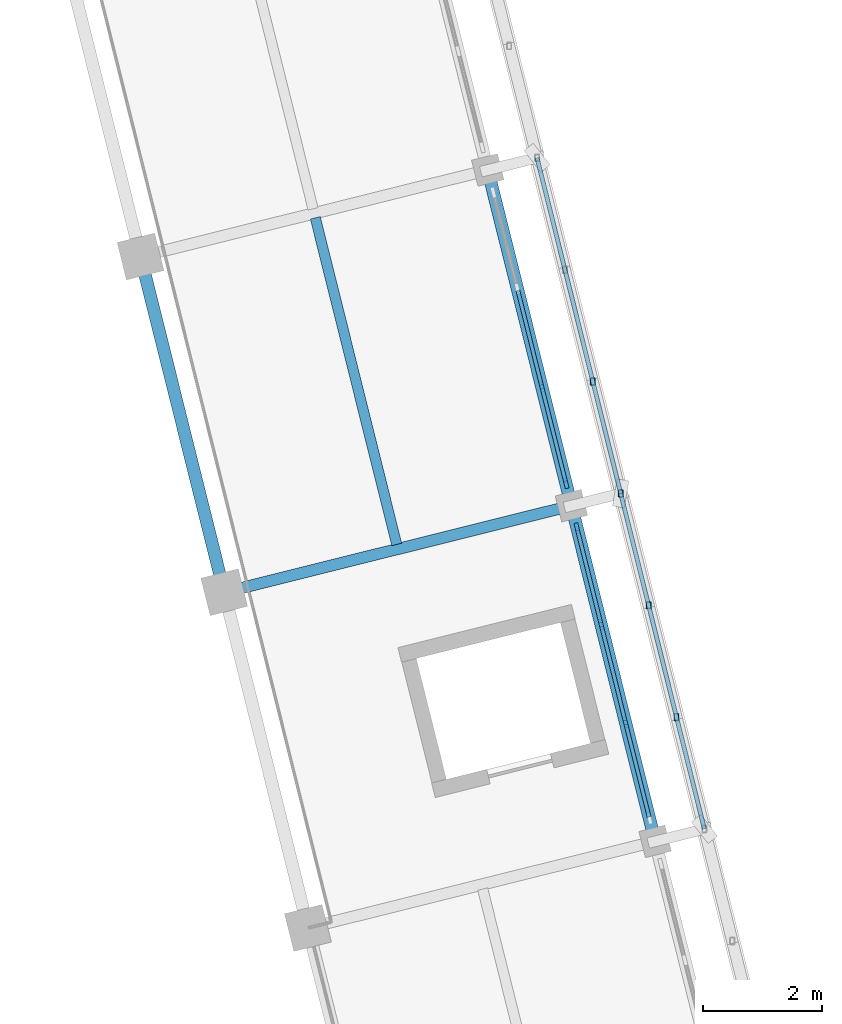
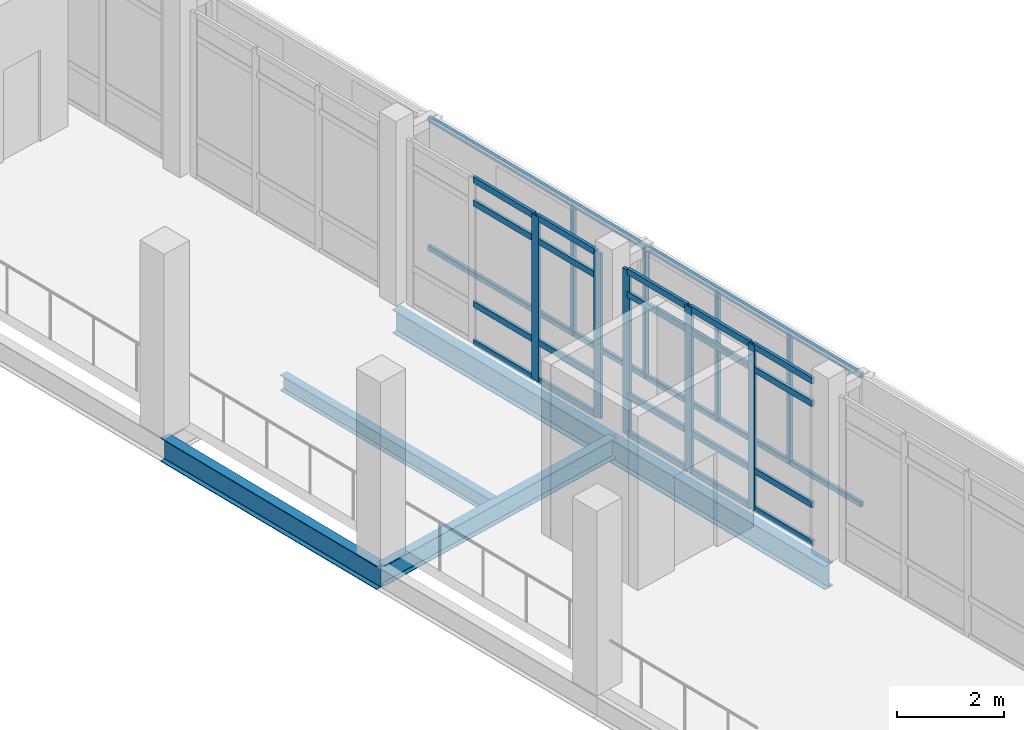
# One storey, part 20 of 137: 33 members, 5 beams, 2 elements without a shape of their own.
"""IFC4 building model written with IfcOpenShell, lengths in metres."""

import ifcopenshell
import ifcopenshell.guid

model = None  # the IFC model being written
_history = None  # IfcOwnerHistory: only IFC2X3 demands one
_inside = {}  # id of a spatial element -> (the spatial element, [elements in it])
_under = {}  # id of a project, library or spatial element -> (it, [spatial elements below it])
_declared = {}  # id of a project -> (the project, [libraries it declares])
_typed = {}  # id of a type object -> (the type object, [elements of that type])
_made_of = {}  # id of a material, layer set ... -> (it, [elements and type objects made of it])


def new_model(schema):
    """Start an empty IFC model of exactly this schema.

    Asked for "IFC4X3", IfcOpenShell would pick the latest addendum, in which some entities
    have other attributes; the version numbers below select the first issue.
    IFC2X3 requires an IfcOwnerHistory on every rooted entity: one is made here for all.
    """
    global model, _history
    if schema == "IFC4X3":
        model = ifcopenshell.file(schema_version=(4, 3, 0, 0))
    else:
        model = ifcopenshell.file(schema=schema)
    _inside.clear()
    _under.clear()
    _declared.clear()
    _typed.clear()
    _made_of.clear()
    _history = None
    if model.schema == "IFC2X3":
        org = make("IfcOrganization", Name="unknown")
        user = make(
            "IfcPersonAndOrganization",
            ThePerson=make("IfcPerson", FamilyName="unknown"),
            TheOrganization=org,
        )
        app = make(
            "IfcApplication",
            ApplicationDeveloper=org,
            Version="unknown",
            ApplicationFullName="unknown",
            ApplicationIdentifier="unknown",
        )
        _history = make(
            "IfcOwnerHistory",
            OwningUser=user,
            OwningApplication=app,
            ChangeAction="ADDED",
            CreationDate=0,
        )
    return model


def make(cls, **values):
    """One entity of the class cls with the attributes given. An attribute that is None is left unset."""
    return model.create_entity(
        cls, **{name: value for name, value in values.items() if value is not None}
    )


def rooted(cls, **values):
    """An entity with a GlobalId (a new one), such as an element, a storey or a relation."""
    return make(cls, GlobalId=ifcopenshell.guid.new(), OwnerHistory=_history, **values)


def si_unit(unit_type, name, prefix=None):
    """IfcSIUnit, for example si_unit("LENGTHUNIT", "METRE", prefix="MILLI")."""
    return make("IfcSIUnit", UnitType=unit_type, Prefix=prefix, Name=name)


def assignment(units):
    """IfcUnitAssignment: the units of a project."""
    return None if units is None else make("IfcUnitAssignment", Units=units)


def point(xyz):
    """IfcCartesianPoint."""
    return None if xyz is None else make("IfcCartesianPoint", Coordinates=xyz)


def direction(xyz):
    """IfcDirection."""
    return None if xyz is None else make("IfcDirection", DirectionRatios=xyz)


def frame(location, z_axis=None, x_axis=None):
    """IfcAxis2Placement3D, a coordinate frame: its origin and axes. An axis left out is left unset."""
    return make(
        "IfcAxis2Placement3D",
        Location=point(location),
        Axis=direction(z_axis),
        RefDirection=direction(x_axis),
    )


def frame_2d(location, x_axis=None):
    """IfcAxis2Placement2D, a coordinate frame in the plane: its origin and x axis."""
    return make(
        "IfcAxis2Placement2D", Location=point(location), RefDirection=direction(x_axis)
    )


def origin():
    """The frame at (0, 0, 0) with its axes left unset."""
    return frame((0.0, 0.0, 0.0))


def origin_2d():
    """The frame at (0, 0) in the plane with its x axis left unset."""
    return frame_2d((0.0, 0.0))


def place(relative_to, where):
    """IfcLocalPlacement: puts the frame where relative to a parent placement (None: the world)."""
    return make(
        "IfcLocalPlacement", PlacementRelTo=relative_to, RelativePlacement=where
    )


def context(
    kind, dimensions, precision=None, world=None, true_north=None, identifier=None
):
    """IfcGeometricRepresentationContext, for example the 3D "Model" context."""
    return make(
        "IfcGeometricRepresentationContext",
        ContextIdentifier=identifier,
        ContextType=kind,
        CoordinateSpaceDimension=dimensions,
        Precision=precision,
        WorldCoordinateSystem=world,
        TrueNorth=true_north,
    )


def subcontext(parent, identifier, kind, view, scale=None):
    """IfcGeometricRepresentationSubContext, for example "Body" below "Model"."""
    return make(
        "IfcGeometricRepresentationSubContext",
        ContextIdentifier=identifier,
        ContextType=kind,
        ParentContext=parent,
        TargetScale=scale,
        TargetView=view,
    )


def project(units=None, contexts=None):
    """IfcProject with its units and contexts."""
    return rooted(
        "IfcProject",
        Name="project",
        RepresentationContexts=contexts,
        UnitsInContext=assignment(units),
    )


def spatial(cls, under=None, at=None, **own):
    """A site, building, storey or space (cls), placed at a placement, below another one or the project."""
    s = rooted(cls, ObjectPlacement=at, **own)
    if under is not None:
        _under.setdefault(under.id(), (under, []))[1].append(s)
    return s


def profile(cls, at=None, kind="AREA", **sizes):
    """A parametric profile (cls). Its sizes go by their IFC names, for example OverallWidth=200.0."""
    return make(cls, ProfileType=kind, Position=at, **sizes)


def rectangle(**sizes):
    """IfcRectangleProfileDef."""
    return profile("IfcRectangleProfileDef", **sizes)


def hollow_rectangle(**sizes):
    """IfcRectangleHollowProfileDef."""
    return profile("IfcRectangleHollowProfileDef", **sizes)


def i_section(**sizes):
    """IfcIShapeProfileDef."""
    return profile("IfcIShapeProfileDef", **sizes)


def extrude(swept, where, along, depth):
    """IfcExtrudedAreaSolid: the profile swept, set in the frame where, extruded along a direction by depth."""
    return make(
        "IfcExtrudedAreaSolid",
        SweptArea=swept,
        Position=where,
        ExtrudedDirection=direction(along),
        Depth=depth,
    )


def shape(context_of_items, identifier, shape_type, items):
    """IfcShapeRepresentation: the items that make up one representation, for example the "Body"."""
    return make(
        "IfcShapeRepresentation",
        ContextOfItems=context_of_items,
        RepresentationIdentifier=identifier,
        RepresentationType=shape_type,
        Items=items,
    )


def material(Name=None, Category=None):
    """IfcMaterial."""
    return make("IfcMaterial", Name=Name, Category=Category)


def material_profile(
    of_material, cross_section, Name=None, Category=None, Priority=None
):
    """IfcMaterialProfile: a cross section and its material."""
    return make(
        "IfcMaterialProfile",
        Name=Name,
        Material=of_material,
        Profile=cross_section,
        Priority=Priority,
        Category=Category,
    )


def profile_set(profiles, Name=None, composite=None):
    """IfcMaterialProfileSet."""
    return make(
        "IfcMaterialProfileSet",
        Name=Name,
        MaterialProfiles=profiles,
        CompositeProfile=composite,
    )


def made_of(thing, what):
    """Note that an element or type object is made of a material, layer set ...; save() writes the relation."""
    if what is not None:
        _made_of.setdefault(what.id(), (what, []))[1].append(thing)
    return thing


def type_object(cls, material=None, **own):
    """A type object (cls), such as IfcWallType, which elements share."""
    return made_of(rooted(cls, **own), material)


def element(
    cls,
    number,
    at=None,
    inside=None,
    cuts=None,
    type_object=None,
    material=None,
    context=None,
    identifier="Body",
    shape_type=None,
    held_by="IfcProductDefinitionShape",
    body=None,
    shapes=None,
    **own,
):
    """One element of the class cls, such as IfcWall. Its Tag is "e" and its number.

    at: its placement. inside: the storey or other place that contains it. cuts: it is an
    opening in that element (IfcRelVoidsElement). A single representation is given by context,
    identifier, shape_type and body (its items); several are given by shapes. held_by: the class
    of the entity that holds the representations. save() writes the other relations.
    """
    e = rooted(cls, Tag="e%d" % number, ObjectPlacement=at, **own)
    if body is not None:
        shapes = [shape(context, identifier, shape_type, body)]
    if shapes is not None:
        e.Representation = make(held_by, Representations=shapes)
    if inside is not None:
        _inside.setdefault(inside.id(), (inside, []))[1].append(e)
    if cuts is not None:
        rooted(
            "IfcRelVoidsElement", RelatingBuildingElement=cuts, RelatedOpeningElement=e
        )
    if type_object is not None:
        _typed.setdefault(type_object.id(), (type_object, []))[1].append(e)
    return made_of(e, material)


def aggregate(whole, parts):
    """IfcRelAggregates: a whole, such as a stair, and the parts it consists of."""
    return rooted("IfcRelAggregates", RelatingObject=whole, RelatedObjects=parts)


def save(model, path):
    """Write the relations noted so far, then the file.

    IfcRelAggregates (storeys below a building ...), IfcRelContainedInSpatialStructure (elements
    in a storey), IfcRelDefinesByType, IfcRelAssociatesMaterial and IfcRelDeclares: one each for
    every whole, place, type object, material and project.
    """
    for whole, parts in _under.values():
        aggregate(whole, parts)
    for where, things in _inside.values():
        rooted(
            "IfcRelContainedInSpatialStructure",
            RelatedElements=things,
            RelatingStructure=where,
        )
    for kind, things in _typed.values():
        rooted("IfcRelDefinesByType", RelatedObjects=things, RelatingType=kind)
    for what, things in _made_of.values():
        rooted("IfcRelAssociatesMaterial", RelatedObjects=things, RelatingMaterial=what)
    for by, libraries in _declared.values():
        rooted("IfcRelDeclares", RelatingContext=by, RelatedDefinitions=libraries)
    model.write(path)


model = new_model("IFC4")

# Units and contexts
model_context = context("Model", 3, precision=1e-05, world=origin(), true_north=direction((0.0, 1.0)))
body_context = subcontext(model_context, "Body", "Model", "MODEL_VIEW")
ifc_project = project(units=[si_unit("LENGTHUNIT", "METRE"), si_unit("AREAUNIT", "SQUARE_METRE"), si_unit("VOLUMEUNIT", "CUBIC_METRE"), si_unit("PLANEANGLEUNIT", "RADIAN"), si_unit("MASSUNIT", "GRAM", prefix="KILO")], contexts=[model_context])

# Site, building, storey
site_placement = place(None, origin())
site = spatial("IfcSite", under=ifc_project, at=site_placement, CompositionType="ELEMENT")
building_placement = place(site_placement, origin())
building = spatial("IfcBuilding", under=site, at=building_placement, Name="Cinderway Yard Community Centre", CompositionType="ELEMENT")
storey_placement = place(building_placement, frame((0.0, 0.0, 4.800048828125)))
storey = spatial("IfcBuildingStorey", under=building, at=storey_placement, Name="L01", CompositionType="ELEMENT", Elevation=4.800048828125)

# Curtain wall, members
ifc_material_1 = material(Name="Aluminium 6063-T6", Category="aluminium")
curtain_wall_type = type_object("IfcCurtainWallType", Name="ENV-CW-TYPE-04", PredefinedType="USERDEFINED", material=ifc_material_1)
curtain_wall_1_placement = place(storey_placement, origin())
curtain_wall_1 = element("IfcCurtainWall", 1, at=curtain_wall_1_placement, inside=storey, type_object=curtain_wall_type, Name="Main Hall Courtyard Curtain Wall ENV-CW-L01-HS-0012", ObjectType="GLAZED CURTAIN WALL", PredefinedType="USERDEFINED")
ifc_material_profile_1 = material_profile(ifc_material_1, rectangle(XDim=0.06494140625, YDim=0.179931640625, at=origin_2d()), Name="Aluminium 6063-T6")
ifc_profile_set_1 = profile_set([ifc_material_profile_1], Name="Aluminium 6063-T6")
member_type_1 = type_object("IfcMemberType", Name="ENV-CW-MULL-180", PredefinedType="MULLION", material=ifc_profile_set_1)
member_1_placement = place(storey_placement, frame((49.496337890625, 46.590087890625, 0.0), z_axis=(0.0, 0.0, 1.0), x_axis=(-0.970292848611, -0.241933436991, 0.0)))
member_1 = element("IfcMember", 2, at=member_1_placement, type_object=member_type_1, Name="CW-04 mullion 2", PredefinedType="MULLION", context=body_context, shape_type="SweptSolid", body=[
    extrude(rectangle(XDim=0.06494140625, YDim=0.179931640625, at=origin_2d()), origin(), (0.0, 0.0, 1.0), 3.75),
])
member_2_placement = place(storey_placement, frame((49.086669921875, 48.23291015625, 0.0), z_axis=(0.0, 0.0, 1.0), x_axis=(-0.970292848611, -0.241933436991, 0.0)))
member_2 = element("IfcMember", 3, at=member_2_placement, type_object=member_type_1, Name="CW-04 mullion 3", PredefinedType="MULLION", context=body_context, shape_type="SweptSolid", body=[
    extrude(rectangle(XDim=0.06494140625, YDim=0.179931640625, at=origin_2d()), origin(), (0.0, 0.0, 1.0), 3.75),
])
member_3_placement = place(storey_placement, frame((48.684326171875, 49.846923828125, 0.0), z_axis=(0.0, 0.0, 1.0), x_axis=(-0.970292848611, -0.241933436991, 0.0)))
member_3 = element("IfcMember", 4, at=member_3_placement, type_object=member_type_1, Name="CW-04 mullion 4", PredefinedType="MULLION", context=body_context, shape_type="SweptSolid", body=[
    extrude(rectangle(XDim=0.06494140625, YDim=0.179931640625, at=origin_2d()), origin(), (0.0, 0.0, 1.0), 3.75),
])

curtain_wall_2_placement = place(storey_placement, origin())
curtain_wall_2 = element("IfcCurtainWall", 5, at=curtain_wall_2_placement, inside=storey, type_object=curtain_wall_type, Name="Main Hall Courtyard Curtain Wall ENV-CW-L01-HS-0013", ObjectType="GLAZED CURTAIN WALL", PredefinedType="USERDEFINED")
member_4_placement = place(storey_placement, frame((48.495849609375, 50.60302734375, 0.0), z_axis=(0.0, 0.0, 1.0), x_axis=(-0.97030436752, -0.241887234827, 0.0)))
member_4 = element("IfcMember", 6, at=member_4_placement, type_object=member_type_1, Name="CW-04 mullion 1", PredefinedType="MULLION", context=body_context, shape_type="SweptSolid", body=[
    extrude(rectangle(XDim=0.06494140625, YDim=0.179931640625, at=origin_2d()), origin(), (0.0, 0.0, 1.0), 3.75),
])
member_5_placement = place(storey_placement, frame((48.09326171875, 52.21728515625, 0.0), z_axis=(0.0, 0.0, 1.0), x_axis=(-0.97030436752, -0.241887234827, 0.0)))
member_5 = element("IfcMember", 7, at=member_5_placement, type_object=member_type_1, Name="CW-04 mullion 2", PredefinedType="MULLION", context=body_context, shape_type="SweptSolid", body=[
    extrude(rectangle(XDim=0.06494140625, YDim=0.179931640625, at=origin_2d()), origin(), (0.0, 0.0, 1.0), 3.75),
])

# Member
ifc_material_profile_2 = material_profile(ifc_material_1, rectangle(XDim=0.06494140625, YDim=0.139892578125, at=origin_2d()), Name="Aluminium 6063-T6")
ifc_profile_set_2 = profile_set([ifc_material_profile_2], Name="Aluminium 6063-T6")
member_type_2 = type_object("IfcMemberType", Name="ENV-CW-TRAN-140", PredefinedType="USERDEFINED", material=ifc_profile_set_2)
member_6_placement = place(storey_placement, frame((49.8916015625, 45.005126953125, 0.030029296875), z_axis=(-0.241962318399, 0.970285646846, 0.0), x_axis=(-0.970285646846, -0.241962318399, 0.0)))
member_6 = element("IfcMember", 8, at=member_6_placement, type_object=member_type_2, Name="CW-04 transom 1.1", ObjectType="TRANSOM", PredefinedType="USERDEFINED", context=body_context, shape_type="SweptSolid", body=[
    extrude(rectangle(XDim=0.06494140625, YDim=0.139892578125, at=origin_2d()), origin(), (0.0, 0.0, 1.0), 1.603271484375),
])

member_7_placement = place(storey_placement, frame((49.8916015625, 45.005126953125, 0.89990234375), z_axis=(-0.241962318399, 0.970285646846, 0.0), x_axis=(-0.970285646846, -0.241962318399, 0.0)))
member_7 = element("IfcMember", 9, at=member_7_placement, type_object=member_type_2, Name="CW-04 transom 1.2", ObjectType="TRANSOM", PredefinedType="USERDEFINED", context=body_context, shape_type="SweptSolid", body=[
    extrude(rectangle(XDim=0.06494140625, YDim=0.139892578125, at=origin_2d()), origin(), (0.0, 0.0, 1.0), 1.603271484375),
])

member_8_placement = place(storey_placement, frame((49.8916015625, 45.005126953125, 3.199951171875), z_axis=(-0.241962318399, 0.970285646846, 0.0), x_axis=(-0.970285646846, -0.241962318399, 0.0)))
member_8 = element("IfcMember", 10, at=member_8_placement, type_object=member_type_2, Name="CW-04 transom 1.3", ObjectType="TRANSOM", PredefinedType="USERDEFINED", context=body_context, shape_type="SweptSolid", body=[
    extrude(rectangle(XDim=0.06494140625, YDim=0.139892578125, at=origin_2d()), origin(), (0.0, 0.0, 1.0), 1.603271484375),
])

member_9_placement = place(storey_placement, frame((49.8916015625, 45.005126953125, 3.719970703125), z_axis=(-0.241962318399, 0.970285646846, 0.0), x_axis=(-0.970285646846, -0.241962318399, 0.0)))
member_9 = element("IfcMember", 11, at=member_9_placement, type_object=member_type_2, Name="CW-04 transom 1.4", ObjectType="TRANSOM", PredefinedType="USERDEFINED", context=body_context, shape_type="SweptSolid", body=[
    extrude(rectangle(XDim=0.06494140625, YDim=0.139892578125, at=origin_2d()), origin(), (0.0, 0.0, 1.0), 1.603271484375),
])

member_10_placement = place(storey_placement, frame((49.489013671875, 46.619140625, 0.030029296875), z_axis=(-0.24186728009, 0.970309341819, 0.0), x_axis=(-0.970309341819, -0.24186728009, 0.0)))
member_10 = element("IfcMember", 12, at=member_10_placement, type_object=member_type_2, Name="CW-04 transom 2.1", ObjectType="TRANSOM", PredefinedType="USERDEFINED", context=body_context, shape_type="SweptSolid", body=[
    extrude(rectangle(XDim=0.06494140625, YDim=0.139892578125, at=origin_2d()), origin(), (0.0, 0.0, 1.0), 1.63330078125),
])

member_11_placement = place(storey_placement, frame((49.489013671875, 46.619140625, 0.89990234375), z_axis=(-0.24186728009, 0.970309341819, 0.0), x_axis=(-0.970309341819, -0.24186728009, 0.0)))
member_11 = element("IfcMember", 13, at=member_11_placement, type_object=member_type_2, Name="CW-04 transom 2.2", ObjectType="TRANSOM", PredefinedType="USERDEFINED", context=body_context, shape_type="SweptSolid", body=[
    extrude(rectangle(XDim=0.06494140625, YDim=0.139892578125, at=origin_2d()), origin(), (0.0, 0.0, 1.0), 1.63330078125),
])

member_12_placement = place(storey_placement, frame((49.489013671875, 46.619140625, 3.199951171875), z_axis=(-0.24186728009, 0.970309341819, 0.0), x_axis=(-0.970309341819, -0.24186728009, 0.0)))
member_12 = element("IfcMember", 14, at=member_12_placement, type_object=member_type_2, Name="CW-04 transom 2.3", ObjectType="TRANSOM", PredefinedType="USERDEFINED", context=body_context, shape_type="SweptSolid", body=[
    extrude(rectangle(XDim=0.06494140625, YDim=0.139892578125, at=origin_2d()), origin(), (0.0, 0.0, 1.0), 1.63330078125),
])

member_13_placement = place(storey_placement, frame((49.489013671875, 46.619140625, 3.719970703125), z_axis=(-0.24186728009, 0.970309341819, 0.0), x_axis=(-0.970309341819, -0.24186728009, 0.0)))
member_13 = element("IfcMember", 15, at=member_13_placement, type_object=member_type_2, Name="CW-04 transom 2.4", ObjectType="TRANSOM", PredefinedType="USERDEFINED", context=body_context, shape_type="SweptSolid", body=[
    extrude(rectangle(XDim=0.06494140625, YDim=0.139892578125, at=origin_2d()), origin(), (0.0, 0.0, 1.0), 1.63330078125),
])

member_14_placement = place(storey_placement, frame((49.079345703125, 48.26220703125, 0.030029296875), z_axis=(-0.241962318399, 0.970285646846, 0.0), x_axis=(-0.970285646846, -0.241962318399, 0.0)))
member_14 = element("IfcMember", 16, at=member_14_placement, type_object=member_type_2, Name="CW-04 transom 3.1", ObjectType="TRANSOM", PredefinedType="USERDEFINED", context=body_context, shape_type="SweptSolid", body=[
    extrude(rectangle(XDim=0.06494140625, YDim=0.139892578125, at=origin_2d()), origin(), (0.0, 0.0, 1.0), 1.603271484375),
])

member_15_placement = place(storey_placement, frame((49.079345703125, 48.26220703125, 0.89990234375), z_axis=(-0.241962318399, 0.970285646846, 0.0), x_axis=(-0.970285646846, -0.241962318399, 0.0)))
member_15 = element("IfcMember", 17, at=member_15_placement, type_object=member_type_2, Name="CW-04 transom 3.2", ObjectType="TRANSOM", PredefinedType="USERDEFINED", context=body_context, shape_type="SweptSolid", body=[
    extrude(rectangle(XDim=0.06494140625, YDim=0.139892578125, at=origin_2d()), origin(), (0.0, 0.0, 1.0), 1.603271484375),
])

member_16_placement = place(storey_placement, frame((49.079345703125, 48.26220703125, 3.199951171875), z_axis=(-0.241962318399, 0.970285646846, 0.0), x_axis=(-0.970285646846, -0.241962318399, 0.0)))
member_16 = element("IfcMember", 18, at=member_16_placement, type_object=member_type_2, Name="CW-04 transom 3.3", ObjectType="TRANSOM", PredefinedType="USERDEFINED", context=body_context, shape_type="SweptSolid", body=[
    extrude(rectangle(XDim=0.06494140625, YDim=0.139892578125, at=origin_2d()), origin(), (0.0, 0.0, 1.0), 1.603271484375),
])

member_17_placement = place(storey_placement, frame((49.079345703125, 48.26220703125, 3.719970703125), z_axis=(-0.241962318399, 0.970285646846, 0.0), x_axis=(-0.970285646846, -0.241962318399, 0.0)))
member_17 = element("IfcMember", 19, at=member_17_placement, type_object=member_type_2, Name="CW-04 transom 3.4", ObjectType="TRANSOM", PredefinedType="USERDEFINED", context=body_context, shape_type="SweptSolid", body=[
    extrude(rectangle(XDim=0.06494140625, YDim=0.139892578125, at=origin_2d()), origin(), (0.0, 0.0, 1.0), 1.603271484375),
])

aggregate(curtain_wall_1, [member_1, member_2, member_3, member_6, member_7, member_8, member_9, member_10, member_11, member_12, member_13, member_14, member_15, member_16, member_17])

member_18_placement = place(storey_placement, frame((48.488525390625, 50.63232421875, 0.030029296875), z_axis=(-0.241926573916, 0.970294559829, 0.0), x_axis=(-0.970294559829, -0.241926573916, 0.0)))
member_18 = element("IfcMember", 20, at=member_18_placement, type_object=member_type_2, Name="CW-04 transom 1.1", ObjectType="TRANSOM", PredefinedType="USERDEFINED", context=body_context, shape_type="SweptSolid", body=[
    extrude(rectangle(XDim=0.06494140625, YDim=0.139892578125, at=origin_2d()), origin(), (0.0, 0.0, 1.0), 1.603515625),
])

member_19_placement = place(storey_placement, frame((48.488525390625, 50.63232421875, 0.89990234375), z_axis=(-0.241926573916, 0.970294559829, 0.0), x_axis=(-0.970294559829, -0.241926573916, 0.0)))
member_19 = element("IfcMember", 21, at=member_19_placement, type_object=member_type_2, Name="CW-04 transom 1.2", ObjectType="TRANSOM", PredefinedType="USERDEFINED", context=body_context, shape_type="SweptSolid", body=[
    extrude(rectangle(XDim=0.06494140625, YDim=0.139892578125, at=origin_2d()), origin(), (0.0, 0.0, 1.0), 1.603515625),
])

member_20_placement = place(storey_placement, frame((48.488525390625, 50.63232421875, 3.199951171875), z_axis=(-0.241926573916, 0.970294559829, 0.0), x_axis=(-0.970294559829, -0.241926573916, 0.0)))
member_20 = element("IfcMember", 22, at=member_20_placement, type_object=member_type_2, Name="CW-04 transom 1.3", ObjectType="TRANSOM", PredefinedType="USERDEFINED", context=body_context, shape_type="SweptSolid", body=[
    extrude(rectangle(XDim=0.06494140625, YDim=0.139892578125, at=origin_2d()), origin(), (0.0, 0.0, 1.0), 1.603515625),
])

member_21_placement = place(storey_placement, frame((48.488525390625, 50.63232421875, 3.719970703125), z_axis=(-0.241926573916, 0.970294559829, 0.0), x_axis=(-0.970294559829, -0.241926573916, 0.0)))
member_21 = element("IfcMember", 23, at=member_21_placement, type_object=member_type_2, Name="CW-04 transom 1.4", ObjectType="TRANSOM", PredefinedType="USERDEFINED", context=body_context, shape_type="SweptSolid", body=[
    extrude(rectangle(XDim=0.06494140625, YDim=0.139892578125, at=origin_2d()), origin(), (0.0, 0.0, 1.0), 1.603515625),
])

member_22_placement = place(storey_placement, frame((48.086181640625, 52.246337890625, 0.030029296875), z_axis=(-0.241937832655, 0.970291752583, 0.0), x_axis=(-0.970291752583, -0.241937832655, 0.0)))
member_22 = element("IfcMember", 24, at=member_22_placement, type_object=member_type_2, Name="CW-04 transom 2.1", ObjectType="TRANSOM", PredefinedType="USERDEFINED", context=body_context, shape_type="SweptSolid", body=[
    extrude(rectangle(XDim=0.06494140625, YDim=0.139892578125, at=origin_2d()), origin(), (0.0, 0.0, 1.0), 1.6337890625),
])

member_23_placement = place(storey_placement, frame((48.086181640625, 52.246337890625, 0.89990234375), z_axis=(-0.241937832655, 0.970291752583, 0.0), x_axis=(-0.970291752583, -0.241937832655, 0.0)))
member_23 = element("IfcMember", 25, at=member_23_placement, type_object=member_type_2, Name="CW-04 transom 2.2", ObjectType="TRANSOM", PredefinedType="USERDEFINED", context=body_context, shape_type="SweptSolid", body=[
    extrude(rectangle(XDim=0.06494140625, YDim=0.139892578125, at=origin_2d()), origin(), (0.0, 0.0, 1.0), 1.6337890625),
])

member_24_placement = place(storey_placement, frame((48.086181640625, 52.246337890625, 3.199951171875), z_axis=(-0.241937832655, 0.970291752583, 0.0), x_axis=(-0.970291752583, -0.241937832655, 0.0)))
member_24 = element("IfcMember", 26, at=member_24_placement, type_object=member_type_2, Name="CW-04 transom 2.3", ObjectType="TRANSOM", PredefinedType="USERDEFINED", context=body_context, shape_type="SweptSolid", body=[
    extrude(rectangle(XDim=0.06494140625, YDim=0.139892578125, at=origin_2d()), origin(), (0.0, 0.0, 1.0), 1.6337890625),
])

member_25_placement = place(storey_placement, frame((48.086181640625, 52.246337890625, 3.719970703125), z_axis=(-0.241937832655, 0.970291752583, 0.0), x_axis=(-0.970291752583, -0.241937832655, 0.0)))
member_25 = element("IfcMember", 27, at=member_25_placement, type_object=member_type_2, Name="CW-04 transom 2.4", ObjectType="TRANSOM", PredefinedType="USERDEFINED", context=body_context, shape_type="SweptSolid", body=[
    extrude(rectangle(XDim=0.06494140625, YDim=0.139892578125, at=origin_2d()), origin(), (0.0, 0.0, 1.0), 1.6337890625),
])

aggregate(curtain_wall_2, [member_4, member_5, member_18, member_19, member_20, member_21, member_22, member_23, member_24, member_25])

# Members
ifc_material_2 = material(Name="Steel S355", Category="steel")
ifc_material_profile_3 = material_profile(ifc_material_2, hollow_rectangle(XDim=0.080078125, YDim=0.1201171875, WallThickness=0.00634765625, InnerFilletRadius=0.00634765625, OuterFilletRadius=0.0126953125, at=origin_2d()), Name="Steel S355")
ifc_profile_set_3 = profile_set([ifc_material_profile_3], Name="Steel S355")
member_type_3 = type_object("IfcMemberType", Name="ENV-MEM-SCREEN-RAIL-120", PredefinedType="STRINGER", material=ifc_profile_set_3)
for number, where, z_axis, x_axis, name in (
    (28, (50.818115234375, 44.803955078125, 0.7099609375), (-0.241941244896, 0.97029090175, 0.0), (-0.97029090175, -0.241941244896, 0.0), "Screen support rail 0796-BOT"),
    (29, (50.818115234375, 44.803955078125, 3.639892578125), (-0.241941244896, 0.97029090175, 0.0), (-0.97029090175, -0.241941244896, 0.0), "Screen support rail 0797-TOP"),
):
    element("IfcMember", number, at=place(storey_placement, frame(where, z_axis=z_axis, x_axis=x_axis)), inside=storey, type_object=member_type_3, Name=name, PredefinedType="STRINGER", context=body_context, shape_type="SweptSolid", body=[
        extrude(hollow_rectangle(XDim=0.080078125, YDim=0.1201171875, WallThickness=0.00634765625, InnerFilletRadius=0.00634765625, OuterFilletRadius=0.0126953125, at=origin_2d()), origin(), (0.0, 0.0, 1.0), 5.79931640625),
    ])
for number, where, z_axis, x_axis, name in (
    (30, (50.35009765625, 46.679931640625, 0.68994140625), (0.0, 0.0, 1.0), (1.0, 0.0, 0.0), "Screen vertical mullion 0798"),
    (31, (49.883056640625, 48.554931640625, 0.68994140625), (0.0, 0.0, 1.0), (1.0, 0.0, 0.0), "Screen vertical mullion 0799"),
    (32, (49.4150390625, 50.430908203125, 0.68994140625), (0.0, 0.0, 1.0), (1.0, 0.0, 0.0), "Screen vertical mullion 0800"),
):
    element("IfcMember", number, at=place(storey_placement, frame(where, z_axis=z_axis, x_axis=x_axis)), inside=storey, type_object=member_type_3, Name=name, PredefinedType="STRINGER", context=body_context, shape_type="SweptSolid", body=[
        extrude(hollow_rectangle(XDim=0.080078125, YDim=0.1201171875, WallThickness=0.00634765625, InnerFilletRadius=0.00634765625, OuterFilletRadius=0.0126953125, at=origin_2d()), origin(), (0.0, 0.0, 1.0), 2.969970703125),
    ])
for number, where, z_axis, x_axis, name in (
    (33, (49.4150390625, 50.430908203125, 0.7099609375), (-0.241891840607, 0.970303219333, 0.0), (-0.970303219333, -0.241891840607, 0.0), "Screen support rail 0802-BOT"),
    (34, (49.4150390625, 50.430908203125, 3.639892578125), (-0.241891840607, 0.970303219333, 0.0), (-0.970303219333, -0.241891840607, 0.0), "Screen support rail 0803-TOP"),
):
    element("IfcMember", number, at=place(storey_placement, frame(where, z_axis=z_axis, x_axis=x_axis)), inside=storey, type_object=member_type_3, Name=name, PredefinedType="STRINGER", context=body_context, shape_type="SweptSolid", body=[
        extrude(hollow_rectangle(XDim=0.080078125, YDim=0.1201171875, WallThickness=0.00634765625, InnerFilletRadius=0.00634765625, OuterFilletRadius=0.0126953125, at=origin_2d()), origin(), (0.0, 0.0, 1.0), 5.800537109375),
    ])
member_26_placement = place(storey_placement, frame((48.947021484375, 52.306884765625, 0.68994140625), z_axis=(0.0, 0.0, 1.0), x_axis=(1.0, 0.0, 0.0)))
element("IfcMember", 35, at=member_26_placement, inside=storey, type_object=member_type_3, Name="Screen vertical mullion 0804", PredefinedType="STRINGER", context=body_context, shape_type="SweptSolid", body=[
    extrude(hollow_rectangle(XDim=0.080078125, YDim=0.1201171875, WallThickness=0.00634765625, InnerFilletRadius=0.00634765625, OuterFilletRadius=0.0126953125, at=origin_2d()), origin(), (0.0, 0.0, 1.0), 2.969970703125),
])

# Beams
ifc_material_profile_4 = material_profile(ifc_material_2, i_section(OverallWidth=0.172119140625, OverallDepth=0.35791015625, WebThickness=0.0078125, FlangeThickness=0.01318359375, FilletRadius=0.010986328125, at=origin_2d()), Name="Steel S355")
ifc_profile_set_4 = profile_set([ifc_material_profile_4], Name="Steel S355")
beam_type_1 = type_object("IfcBeamType", Name="STR-BM-W360X57", PredefinedType="JOIST", material=ifc_profile_set_4)
beam_1_placement = place(storey_placement, frame((45.659912109375, 49.574951171875, -0.4189453125), z_axis=(-0.241823170117, 0.970320335969, 0.0), x_axis=(-0.970320335969, -0.241823170117, 0.0)))
element("IfcBeam", 36, at=beam_1_placement, inside=storey, type_object=beam_type_1, Name="Secondary joist STR-BM-L01-SJ03-0041", PredefinedType="JOIST", context=body_context, shape_type="SweptSolid", body=[
    extrude(i_section(OverallWidth=0.172119140625, OverallDepth=0.35791015625, WebThickness=0.0078125, FlangeThickness=0.01318359375, FilletRadius=0.010986328125, at=origin_2d()), origin(), (0.0, 0.0, 1.0), 5.64453125),
])
ifc_material_profile_5 = material_profile(ifc_material_2, i_section(OverallWidth=0.19091796875, OverallDepth=0.4599609375, WebThickness=0.010009765625, FlangeThickness=0.014404296875, FilletRadius=0.012939453125, at=origin_2d()), Name="Steel S355")
ifc_profile_set_5 = profile_set([ifc_material_profile_5], Name="Steel S355")
beam_type_2 = type_object("IfcBeamType", Name="STR-BM-W460X82", PredefinedType="JOIST", material=ifc_profile_set_5)
beam_2_placement = place(storey_placement, frame((42.76806640625, 48.77392578125, -0.469970703125), z_axis=(0.970312198702, 0.241855818723, 0.0), x_axis=(-0.241855818723, 0.970312198702, 0.0)))
element("IfcBeam", 37, at=beam_2_placement, inside=storey, type_object=beam_type_2, Name="Primary girder STR-BM-L01-SJ01-0021", PredefinedType="JOIST", context=body_context, shape_type="SweptSolid", body=[
    extrude(i_section(OverallWidth=0.19091796875, OverallDepth=0.4599609375, WebThickness=0.010009765625, FlangeThickness=0.014404296875, FilletRadius=0.012939453125, at=origin_2d()), origin(), (0.0, 0.0, 1.0), 6.000244140625),
])
ifc_material_profile_6 = material_profile(ifc_material_2, i_section(OverallWidth=0.2109375, OverallDepth=0.5390625, WebThickness=0.010986328125, FlangeThickness=0.017333984375, FilletRadius=0.013916015625, at=origin_2d()), Name="Steel S355")
ifc_profile_set_6 = profile_set([ifc_material_profile_6], Name="Steel S355")
beam_type_3 = type_object("IfcBeamType", Name="STR-BM-W530X109", PredefinedType="BEAM", material=ifc_profile_set_6)
beam_3_placement = place(storey_placement, frame((42.76806640625, 48.77392578125, -0.510009765625), z_axis=(-0.241891840607, 0.970303219333, 0.0), x_axis=(-0.970303219333, -0.241891840607, 0.0)))
element("IfcBeam", 38, at=beam_3_placement, inside=storey, type_object=beam_type_3, Name="Transverse girder STR-BM-L01-SB06-0029", PredefinedType="BEAM", context=body_context, shape_type="SweptSolid", body=[
    extrude(i_section(OverallWidth=0.2109375, OverallDepth=0.5390625, WebThickness=0.010986328125, FlangeThickness=0.017333984375, FilletRadius=0.013916015625, at=origin_2d()), origin(), (0.0, 0.0, 1.0), 5.800537109375),
])
beam_4_placement = place(storey_placement, frame((49.992919921875, 44.597900390625, -0.510009765625), z_axis=(-0.241891728854, 0.970303247192, 0.0), x_axis=(-0.970303247192, -0.241891728854, 0.0)))
element("IfcBeam", 39, at=beam_4_placement, inside=storey, type_object=beam_type_3, Name="Transverse girder STR-BM-L01-SB06-0035", PredefinedType="BEAM", context=body_context, shape_type="SweptSolid", body=[
    extrude(i_section(OverallWidth=0.2109375, OverallDepth=0.5390625, WebThickness=0.010986328125, FlangeThickness=0.017333984375, FilletRadius=0.013916015625, at=origin_2d()), origin(), (0.0, 0.0, 1.0), 5.79931640625),
])
beam_5_placement = place(storey_placement, frame((48.590087890625, 50.22509765625, -0.510009765625), z_axis=(-0.2419017199, 0.97030075642, 0.0), x_axis=(-0.97030075642, -0.2419017199, 0.0)))
element("IfcBeam", 40, at=beam_5_placement, inside=storey, type_object=beam_type_3, Name="Transverse girder STR-BM-L01-SB06-0036", PredefinedType="BEAM", context=body_context, shape_type="SweptSolid", body=[
    extrude(i_section(OverallWidth=0.2109375, OverallDepth=0.5390625, WebThickness=0.010986328125, FlangeThickness=0.017333984375, FilletRadius=0.013916015625, at=origin_2d()), origin(), (0.0, 0.0, 1.0), 5.80029296875),
])

save(model, "model.ifc")
